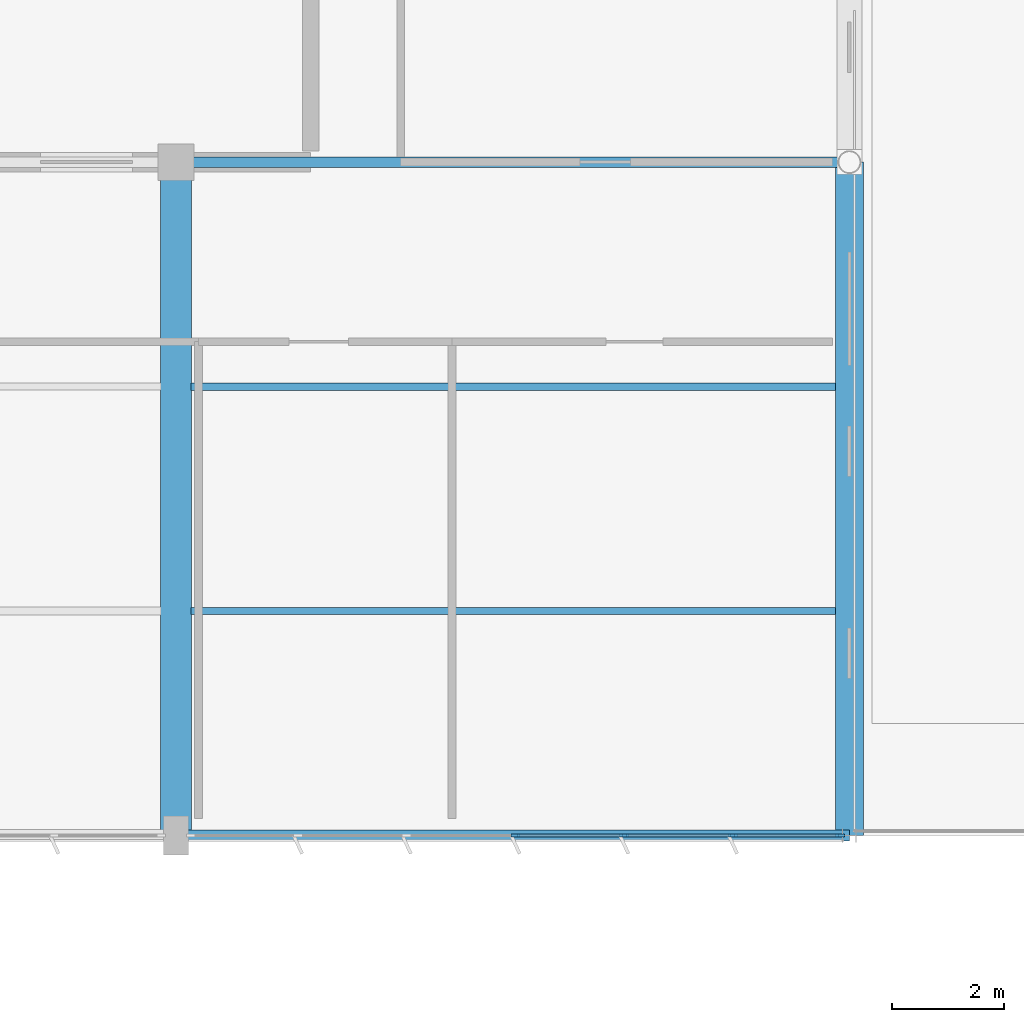
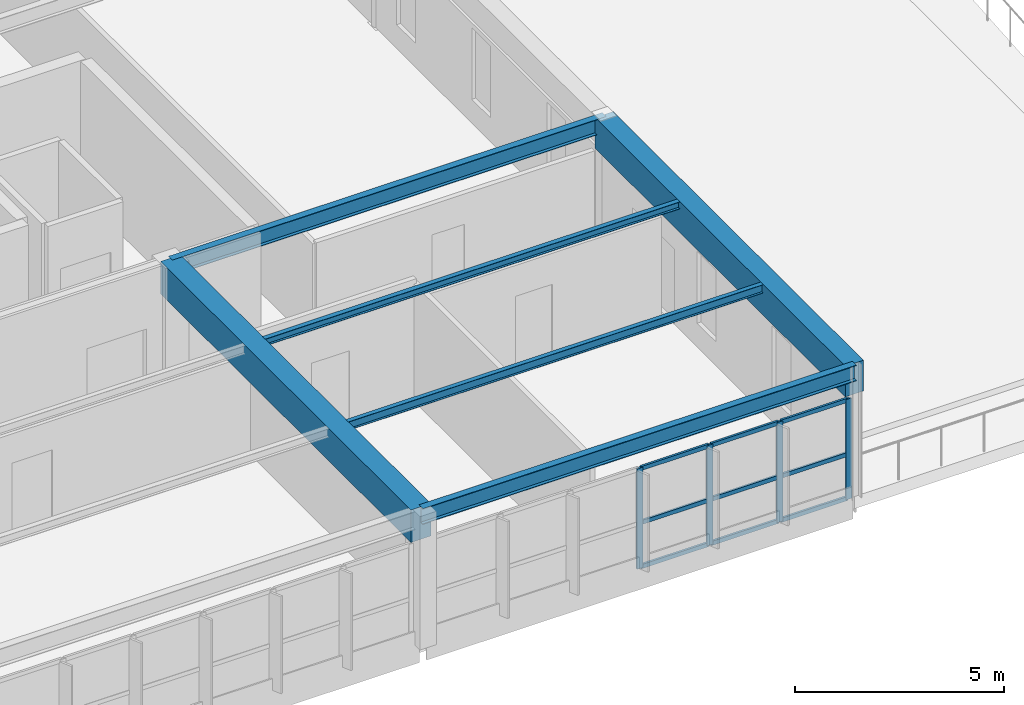
# One storey, part 63 of 128: 13 members, 6 beams, 1 element without a shape of its own.
"""IFC4 building model written with IfcOpenShell, lengths in metres."""

from ifc_helpers import new_model, si_unit, direction, frame, origin, origin_2d, place, context, subcontext, project, spatial, rectangle, i_section, extrude, material, layer, layer_set, material_profile, profile_set, type_object, element, aggregate, save


model = new_model("IFC4")

# Units and contexts
model_context = context("Model", 3, precision=1e-05, world=origin(), true_north=direction((0.0, 1.0)))
body_context = subcontext(model_context, "Body", "Model", "MODEL_VIEW")
ifc_project = project(units=[si_unit("LENGTHUNIT", "METRE"), si_unit("AREAUNIT", "SQUARE_METRE"), si_unit("VOLUMEUNIT", "CUBIC_METRE"), si_unit("PLANEANGLEUNIT", "RADIAN"), si_unit("MASSUNIT", "GRAM", prefix="KILO")], contexts=[model_context])

# Site, building, storey
site_placement = place(None, origin())
site = spatial("IfcSite", under=ifc_project, at=site_placement, CompositionType="ELEMENT")
building_placement = place(site_placement, origin())
building = spatial("IfcBuilding", under=site, at=building_placement, Name="Tarnwether General Hospital", CompositionType="ELEMENT")
storey_placement = place(building_placement, frame((0.0, 0.0, 14.39990234375)))
storey = spatial("IfcBuildingStorey", under=building, at=storey_placement, Name="L03", CompositionType="ELEMENT", Elevation=14.39990234375)

# Beams
ifc_material_1 = material(Name="Steel Grade 350 (350 MPa)", Category="steel")
ifc_material_profile_1 = material_profile(ifc_material_1, i_section(OverallWidth=0.19091796875, OverallDepth=0.4599609375, WebThickness=0.010009765625, FlangeThickness=0.01611328125, at=origin_2d()), Name="460UB82.1")
ifc_profile_set_1 = profile_set([ifc_material_profile_1], Name="Steel Grade 350 (350 MPa)")
beam_type_1 = type_object("IfcBeamType", Name="BM-G08", PredefinedType="BEAM", material=ifc_profile_set_1)
beam_1_placement = place(storey_placement, frame((168.0, 81.60009765625, 3.670166015625), z_axis=(1.0, 0.0, 0.0), x_axis=(0.0, 1.0, 0.0)))
element("IfcBeam", 1, at=beam_1_placement, inside=storey, type_object=beam_type_1, Name="Primary Girder BMG-L03-16800_8160-18000_8160-1798", PredefinedType="BEAM", context=body_context, shape_type="SweptSolid", body=[
    extrude(i_section(OverallWidth=0.19091796875, OverallDepth=0.4599609375, WebThickness=0.010009765625, FlangeThickness=0.01611328125, at=origin_2d()), origin(), (0.0, 0.0, 1.0), 12.0),
])
ifc_material_2 = material(Name="Steel Grade 350 (350 MPa)", Category="steel")
ifc_material_profile_2 = material_profile(ifc_material_2, i_section(OverallWidth=0.18994140625, OverallDepth=0.45703125, WebThickness=0.009033203125, FlangeThickness=0.014404296875, at=origin_2d()), Name="460UB74.6")
ifc_profile_set_2 = profile_set([ifc_material_profile_2], Name="Steel Grade 350 (350 MPa)")
beam_type_2 = type_object("IfcBeamType", Name="BM-G09", PredefinedType="BEAM", material=ifc_profile_set_2)
beam_2_placement = place(storey_placement, frame((168.0, 93.60009765625, 3.671630859375), z_axis=(1.0, 0.0, 0.0), x_axis=(0.0, 1.0, 0.0)))
element("IfcBeam", 2, at=beam_2_placement, inside=storey, type_object=beam_type_2, Name="Primary Girder BMG-L03-16800_9360-18000_9360-1800", PredefinedType="BEAM", context=body_context, shape_type="SweptSolid", body=[
    extrude(i_section(OverallWidth=0.18994140625, OverallDepth=0.45703125, WebThickness=0.009033203125, FlangeThickness=0.014404296875, at=origin_2d()), origin(), (0.0, 0.0, 1.0), 12.0),
])
ifc_material_3 = material(Name="Concrete 40 MPa", Category="concrete")
ifc_material_profile_3 = material_profile(ifc_material_3, rectangle(XDim=0.550048828125, YDim=0.949951171875, at=origin_2d()), Name="RC-BM-550x950")
ifc_profile_set_3 = profile_set([ifc_material_profile_3], Name="Concrete 40 MPa")
beam_type_3 = type_object("IfcBeamType", Name="BM-G11", PredefinedType="BEAM", material=ifc_profile_set_3)
beam_3_placement = place(storey_placement, frame((168.0, 81.60009765625, 3.425048828125), z_axis=(0.0, 1.0, 0.0), x_axis=(-1.0, 0.0, 0.0)))
element("IfcBeam", 3, at=beam_3_placement, inside=storey, type_object=beam_type_3, Name="Primary Girder BMG-L03-16800_8160-16800_9360-1799", PredefinedType="BEAM", context=body_context, shape_type="SweptSolid", body=[
    extrude(rectangle(XDim=0.550048828125, YDim=0.949951171875, at=origin_2d()), origin(), (0.0, 0.0, 1.0), 12.0),
])
ifc_material_4 = material(Name="Concrete 40 MPa", Category="concrete")
ifc_material_profile_4 = material_profile(ifc_material_4, rectangle(XDim=0.5, YDim=0.89990234375, at=origin_2d()), Name="RC-BM-500x900")
ifc_profile_set_4 = profile_set([ifc_material_profile_4], Name="Concrete 40 MPa")
beam_type_4 = type_object("IfcBeamType", Name="BM-G12", PredefinedType="BEAM", material=ifc_profile_set_4)
beam_4_placement = place(storey_placement, frame((180.0, 81.60009765625, 3.4501953125), z_axis=(0.0, 1.0, 0.0), x_axis=(-1.0, 0.0, 0.0)))
element("IfcBeam", 4, at=beam_4_placement, inside=storey, type_object=beam_type_4, Name="Primary Girder BMG-L03-18000_8160-18000_9360-1810", PredefinedType="BEAM", context=body_context, shape_type="SweptSolid", body=[
    extrude(rectangle(XDim=0.5, YDim=0.89990234375, at=origin_2d()), origin(), (0.0, 0.0, 1.0), 12.0),
])
ifc_material_5 = material(Name="Steel Grade 350 (350 MPa)", Category="steel")
ifc_material_profile_5 = material_profile(ifc_material_5, i_section(OverallWidth=0.1240234375, OverallDepth=0.248046875, WebThickness=0.0048828125, FlangeThickness=0.008056640625, at=origin_2d()), Name="250UB25.7")
ifc_profile_set_5 = profile_set([ifc_material_profile_5], Name="Steel Grade 350 (350 MPa)")
beam_type_5 = type_object("IfcBeamType", Name="BM-J11", PredefinedType="JOIST", material=ifc_profile_set_5)
beam_5_placement = place(storey_placement, frame((168.26904296875, 85.60009765625, 3.776123046875), z_axis=(1.0, 0.0, 0.0), x_axis=(0.0, 1.0, 0.0)))
element("IfcBeam", 5, at=beam_5_placement, inside=storey, type_object=beam_type_5, Name="Composite Floor Joist BMG-L03-16827_8560-17976_8560-1848", PredefinedType="JOIST", context=body_context, shape_type="SweptSolid", body=[
    extrude(i_section(OverallWidth=0.1240234375, OverallDepth=0.248046875, WebThickness=0.0048828125, FlangeThickness=0.008056640625, at=origin_2d()), origin(), (0.0, 0.0, 1.0), 11.487060546875),
])
ifc_material_6 = material(Name="Steel Grade 350 (350 MPa)", Category="steel")
ifc_material_profile_6 = material_profile(ifc_material_6, i_section(OverallWidth=0.134033203125, OverallDepth=0.20703125, WebThickness=0.00634765625, FlangeThickness=0.009521484375, at=origin_2d()), Name="200UB29.8")
ifc_profile_set_6 = profile_set([ifc_material_profile_6], Name="Steel Grade 350 (350 MPa)")
beam_type_6 = type_object("IfcBeamType", Name="BM-J12", PredefinedType="JOIST", material=ifc_profile_set_6)
beam_6_placement = place(storey_placement, frame((168.26904296875, 89.60009765625, 3.796630859375), z_axis=(1.0, 0.0, 0.0), x_axis=(0.0, 1.0, 0.0)))
element("IfcBeam", 6, at=beam_6_placement, inside=storey, type_object=beam_type_6, Name="Composite Floor Joist BMG-L03-16827_8960-17976_8960-1849", PredefinedType="JOIST", context=body_context, shape_type="SweptSolid", body=[
    extrude(i_section(OverallWidth=0.134033203125, OverallDepth=0.20703125, WebThickness=0.00634765625, FlangeThickness=0.009521484375, at=origin_2d()), origin(), (0.0, 0.0, 1.0), 11.487060546875),
])

# Curtain wall, members
ifc_material_7 = material(Name="Anodised aluminium", Category="aluminium")
ifc_layer = layer(ifc_material_7, 0.159912109375)
ifc_layer_set = layer_set([ifc_layer], Name="Anodised aluminium")
curtain_wall_type = type_object("IfcCurtainWallType", Name="CW-17", PredefinedType="NOTDEFINED", material=ifc_layer_set)
curtain_wall_placement = place(storey_placement, origin())
curtain_wall = element("IfcCurtainWall", 7, at=curtain_wall_placement, inside=storey, type_object=curtain_wall_type, Name="Curtain Wall CWG-L03-1799_816-0485", PredefinedType="NOTDEFINED")
ifc_material_8 = material(Name="Anodised aluminium", Category="aluminium")
ifc_material_profile_7 = material_profile(ifc_material_8, rectangle(XDim=0.06005859375, YDim=0.159912109375, at=origin_2d()), Name="ALU-MUL-60x160")
ifc_profile_set_7 = profile_set([ifc_material_profile_7], Name="Anodised aluminium")
member_type_1 = type_object("IfcMemberType", Name="CW-ML1", PredefinedType="MULLION", material=ifc_profile_set_7)
member_1_placement = place(storey_placement, frame((179.83203125, 81.60009765625, 0.0), z_axis=(0.0, 0.0, 1.0), x_axis=(0.0, -1.0, 0.0)))
member_1 = element("IfcMember", 8, at=member_1_placement, type_object=member_type_1, Name="CW-17 mullion 1", PredefinedType="MULLION", context=body_context, shape_type="SweptSolid", body=[
    extrude(rectangle(XDim=0.06005859375, YDim=0.159912109375, at=origin_2d()), origin(), (0.0, 0.0, 1.0), 2.93505859375),
])
member_2_placement = place(storey_placement, frame((177.923828125, 81.60009765625, 0.0), z_axis=(0.0, 0.0, 1.0), x_axis=(0.0, -1.0, 0.0)))
member_2 = element("IfcMember", 9, at=member_2_placement, type_object=member_type_1, Name="CW-17 mullion 2", PredefinedType="MULLION", context=body_context, shape_type="SweptSolid", body=[
    extrude(rectangle(XDim=0.06005859375, YDim=0.159912109375, at=origin_2d()), origin(), (0.0, 0.0, 1.0), 2.93505859375),
])
member_3_placement = place(storey_placement, frame((175.985595703125, 81.60009765625, 0.0), z_axis=(0.0, 0.0, 1.0), x_axis=(0.0, -1.0, 0.0)))
member_3 = element("IfcMember", 10, at=member_3_placement, type_object=member_type_1, Name="CW-17 mullion 3", PredefinedType="MULLION", context=body_context, shape_type="SweptSolid", body=[
    extrude(rectangle(XDim=0.06005859375, YDim=0.159912109375, at=origin_2d()), origin(), (0.0, 0.0, 1.0), 2.93505859375),
])
member_4_placement = place(storey_placement, frame((174.047607421875, 81.60009765625, 0.0), z_axis=(0.0, 0.0, 1.0), x_axis=(0.0, -1.0, 0.0)))
member_4 = element("IfcMember", 11, at=member_4_placement, type_object=member_type_1, Name="CW-17 mullion 4", PredefinedType="MULLION", context=body_context, shape_type="SweptSolid", body=[
    extrude(rectangle(XDim=0.06005859375, YDim=0.159912109375, at=origin_2d()), origin(), (0.0, 0.0, 1.0), 2.93505859375),
])
ifc_material_9 = material(Name="Anodised aluminium", Category="aluminium")
ifc_material_profile_8 = material_profile(ifc_material_9, rectangle(XDim=0.06005859375, YDim=0.1201171875, at=origin_2d()), Name="ALU-TRN-60x120")
ifc_profile_set_8 = profile_set([ifc_material_profile_8], Name="Anodised aluminium")
member_type_2 = type_object("IfcMemberType", Name="CW-TR1", PredefinedType="USERDEFINED", material=ifc_profile_set_8)
member_5_placement = place(storey_placement, frame((179.802001953125, 81.60009765625, 0.030029296875), z_axis=(-1.0, 0.0, 0.0), x_axis=(0.0, -1.0, 0.0)))
member_5 = element("IfcMember", 12, at=member_5_placement, type_object=member_type_2, Name="CW-17 transom 1.1", ObjectType="TRANSOM", PredefinedType="USERDEFINED", context=body_context, shape_type="SweptSolid", body=[
    extrude(rectangle(XDim=0.06005859375, YDim=0.1201171875, at=origin_2d()), origin(), (0.0, 0.0, 1.0), 1.84814453125),
])
member_6_placement = place(storey_placement, frame((179.802001953125, 81.60009765625, 1.32080078125), z_axis=(-1.0, 0.0, 0.0), x_axis=(0.0, -1.0, 0.0)))
member_6 = element("IfcMember", 13, at=member_6_placement, type_object=member_type_2, Name="CW-17 transom 1.2", ObjectType="TRANSOM", PredefinedType="USERDEFINED", context=body_context, shape_type="SweptSolid", body=[
    extrude(rectangle(XDim=0.06005859375, YDim=0.1201171875, at=origin_2d()), origin(), (0.0, 0.0, 1.0), 1.84814453125),
])
member_7_placement = place(storey_placement, frame((179.802001953125, 81.60009765625, 2.905029296875), z_axis=(-1.0, 0.0, 0.0), x_axis=(0.0, -1.0, 0.0)))
member_7 = element("IfcMember", 14, at=member_7_placement, type_object=member_type_2, Name="CW-17 transom 1.3", ObjectType="TRANSOM", PredefinedType="USERDEFINED", context=body_context, shape_type="SweptSolid", body=[
    extrude(rectangle(XDim=0.06005859375, YDim=0.1201171875, at=origin_2d()), origin(), (0.0, 0.0, 1.0), 1.84814453125),
])
member_8_placement = place(storey_placement, frame((177.893798828125, 81.60009765625, 0.030029296875), z_axis=(-1.0, 0.0, 0.0), x_axis=(0.0, -1.0, 0.0)))
member_8 = element("IfcMember", 15, at=member_8_placement, type_object=member_type_2, Name="CW-17 transom 2.1", ObjectType="TRANSOM", PredefinedType="USERDEFINED", context=body_context, shape_type="SweptSolid", body=[
    extrude(rectangle(XDim=0.06005859375, YDim=0.1201171875, at=origin_2d()), origin(), (0.0, 0.0, 1.0), 1.878173828125),
])
member_9_placement = place(storey_placement, frame((177.893798828125, 81.60009765625, 1.32080078125), z_axis=(-1.0, 0.0, 0.0), x_axis=(0.0, -1.0, 0.0)))
member_9 = element("IfcMember", 16, at=member_9_placement, type_object=member_type_2, Name="CW-17 transom 2.2", ObjectType="TRANSOM", PredefinedType="USERDEFINED", context=body_context, shape_type="SweptSolid", body=[
    extrude(rectangle(XDim=0.06005859375, YDim=0.1201171875, at=origin_2d()), origin(), (0.0, 0.0, 1.0), 1.878173828125),
])
member_10_placement = place(storey_placement, frame((177.893798828125, 81.60009765625, 2.905029296875), z_axis=(-1.0, 0.0, 0.0), x_axis=(0.0, -1.0, 0.0)))
member_10 = element("IfcMember", 17, at=member_10_placement, type_object=member_type_2, Name="CW-17 transom 2.3", ObjectType="TRANSOM", PredefinedType="USERDEFINED", context=body_context, shape_type="SweptSolid", body=[
    extrude(rectangle(XDim=0.06005859375, YDim=0.1201171875, at=origin_2d()), origin(), (0.0, 0.0, 1.0), 1.878173828125),
])
member_11_placement = place(storey_placement, frame((175.95556640625, 81.60009765625, 0.030029296875), z_axis=(-1.0, 0.0, 0.0), x_axis=(0.0, -1.0, 0.0)))
member_11 = element("IfcMember", 18, at=member_11_placement, type_object=member_type_2, Name="CW-17 transom 3.1", ObjectType="TRANSOM", PredefinedType="USERDEFINED", context=body_context, shape_type="SweptSolid", body=[
    extrude(rectangle(XDim=0.06005859375, YDim=0.1201171875, at=origin_2d()), origin(), (0.0, 0.0, 1.0), 1.878173828125),
])
member_12_placement = place(storey_placement, frame((175.95556640625, 81.60009765625, 1.32080078125), z_axis=(-1.0, 0.0, 0.0), x_axis=(0.0, -1.0, 0.0)))
member_12 = element("IfcMember", 19, at=member_12_placement, type_object=member_type_2, Name="CW-17 transom 3.2", ObjectType="TRANSOM", PredefinedType="USERDEFINED", context=body_context, shape_type="SweptSolid", body=[
    extrude(rectangle(XDim=0.06005859375, YDim=0.1201171875, at=origin_2d()), origin(), (0.0, 0.0, 1.0), 1.878173828125),
])
member_13_placement = place(storey_placement, frame((175.95556640625, 81.60009765625, 2.905029296875), z_axis=(-1.0, 0.0, 0.0), x_axis=(0.0, -1.0, 0.0)))
member_13 = element("IfcMember", 20, at=member_13_placement, type_object=member_type_2, Name="CW-17 transom 3.3", ObjectType="TRANSOM", PredefinedType="USERDEFINED", context=body_context, shape_type="SweptSolid", body=[
    extrude(rectangle(XDim=0.06005859375, YDim=0.1201171875, at=origin_2d()), origin(), (0.0, 0.0, 1.0), 1.878173828125),
])
aggregate(curtain_wall, [member_1, member_2, member_3, member_4, member_5, member_6, member_7, member_8, member_9, member_10, member_11, member_12, member_13])

save(model, "model.ifc")
